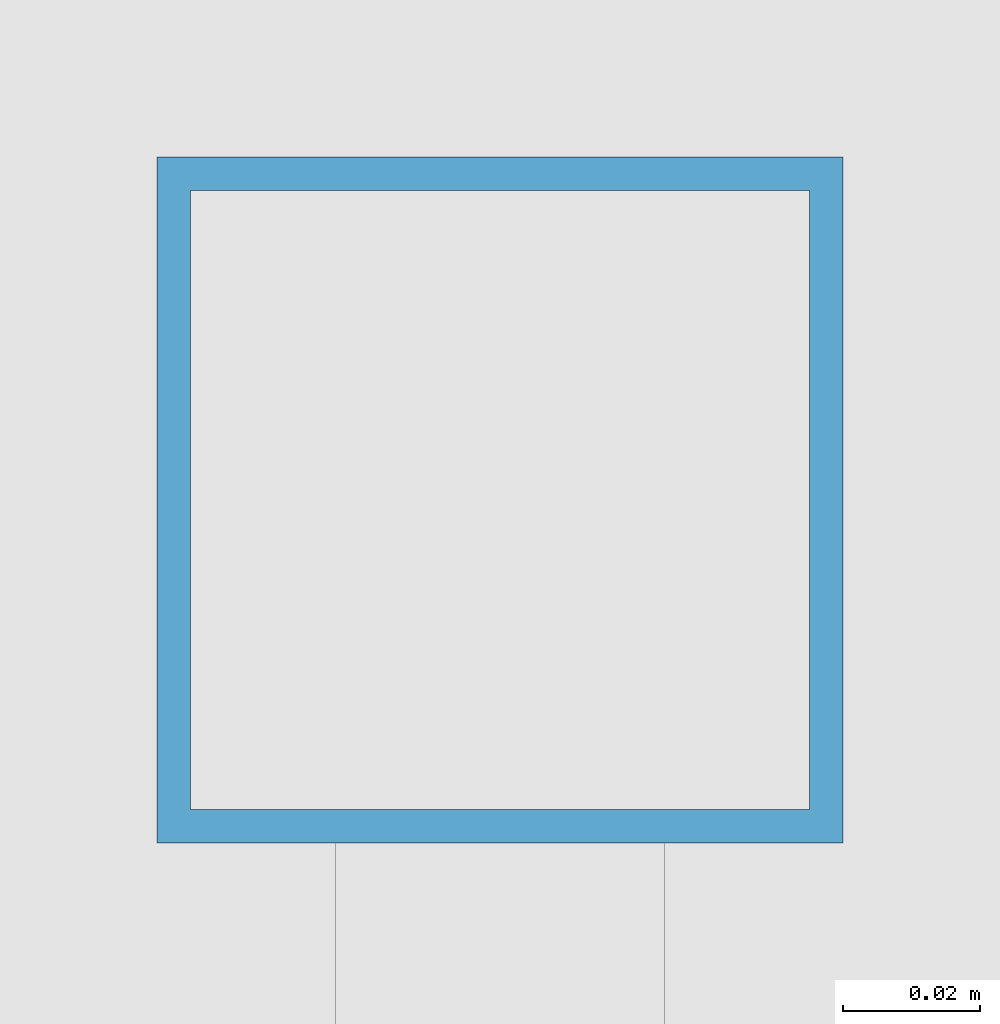
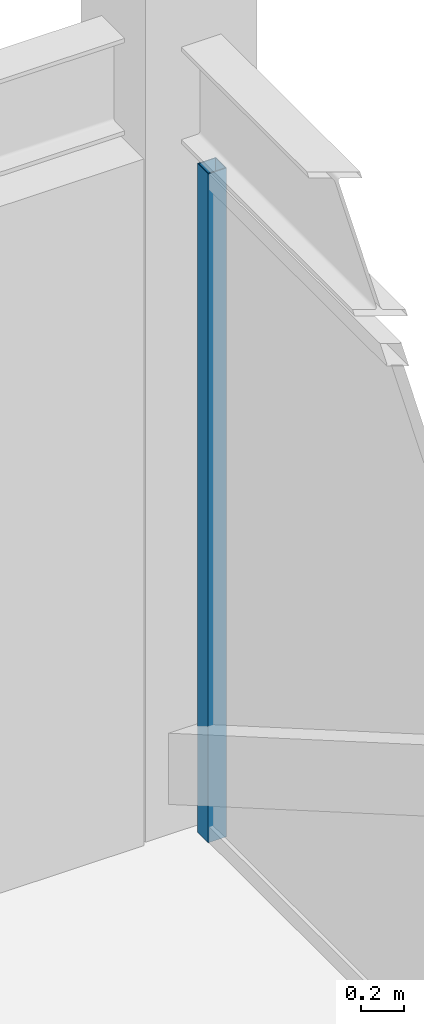
# One storey, part 20 of 27: 1 member, 1 element without a shape of its own.
"""IFC4 building model written with IfcOpenShell, lengths in metres."""

from ifc_helpers import new_model, si_unit, direction, frame, origin, origin_2d, place, context, subcontext, project, spatial, hollow_rectangle, extrude, source, transform, mapped, material, material_profile, profile_set, type_object, element, aggregate, save


model = new_model("IFC4")

# Units and contexts
model_context = context("Model", 3, precision=1e-05, world=origin(), true_north=direction((0.0, 1.0)))
body_context = subcontext(model_context, "Body", "Model", "MODEL_VIEW")
ifc_project = project(units=[si_unit("LENGTHUNIT", "METRE"), si_unit("AREAUNIT", "SQUARE_METRE"), si_unit("VOLUMEUNIT", "CUBIC_METRE"), si_unit("PLANEANGLEUNIT", "RADIAN"), si_unit("MASSUNIT", "GRAM", prefix="KILO")], contexts=[model_context])

# Site, building, storey
site_placement = place(None, origin())
site = spatial("IfcSite", under=ifc_project, at=site_placement, CompositionType="ELEMENT")
building_placement = place(site_placement, origin())
building = spatial("IfcBuilding", under=site, at=building_placement, Name="Khorayat Bourse Tower", CompositionType="ELEMENT")
storey_placement = place(building_placement, frame((0.0, 0.0, 380.300048828125)))
storey = spatial("IfcBuildingStorey", under=building, at=storey_placement, Name="L90", CompositionType="ELEMENT", Elevation=380.300048828125)

# Curtain wall, member
ifc_material = material(Name="Aluminium EN AW-6063 T6", Category="aluminium")
curtain_wall_type = type_object("IfcCurtainWallType", Name="CW-SYS-07", PredefinedType="NOTDEFINED", material=ifc_material)
curtain_wall_placement = place(storey_placement, origin())
curtain_wall = element("IfcCurtainWall", 1, at=curtain_wall_placement, inside=storey, type_object=curtain_wall_type, Name="L90 Curtain Wall CW-L90-E1", PredefinedType="NOTDEFINED")
ifc_material_profile = material_profile(ifc_material, hollow_rectangle(XDim=0.10009765625, YDim=0.10009765625, WallThickness=0.0048828125, at=origin_2d()), Name="ALU 100x100x5")
ifc_profile_set = profile_set([ifc_material_profile], Name="Aluminium EN AW-6063 T6")
member_type = type_object("IfcMemberType", Name="CWM-LANTERN-100", PredefinedType="MULLION", material=ifc_profile_set)
shared_shape = source(origin(), body_context, "Body", "SweptSolid", [
    extrude(hollow_rectangle(XDim=0.10009765625, YDim=0.10009765625, WallThickness=0.0048828125, at=origin_2d()), origin(), (0.0, 0.0, 1.0), 3.800048828125),
])
member_placement = place(storey_placement, frame((24.0, 17.60009765625, 0.0), z_axis=(0.0, 0.0, 1.0), x_axis=(-1.0, 0.0, 0.0)))
member = element("IfcMember", 2, at=member_placement, type_object=member_type, Name="CW-L90-E1 Vertical Mullion 3", PredefinedType="MULLION", context=body_context, shape_type="MappedRepresentation", body=[
    mapped(shared_shape, transform((0.0, 0.0, 0.0), scale=1.0)),
])
aggregate(curtain_wall, [member])

save(model, "model.ifc")
